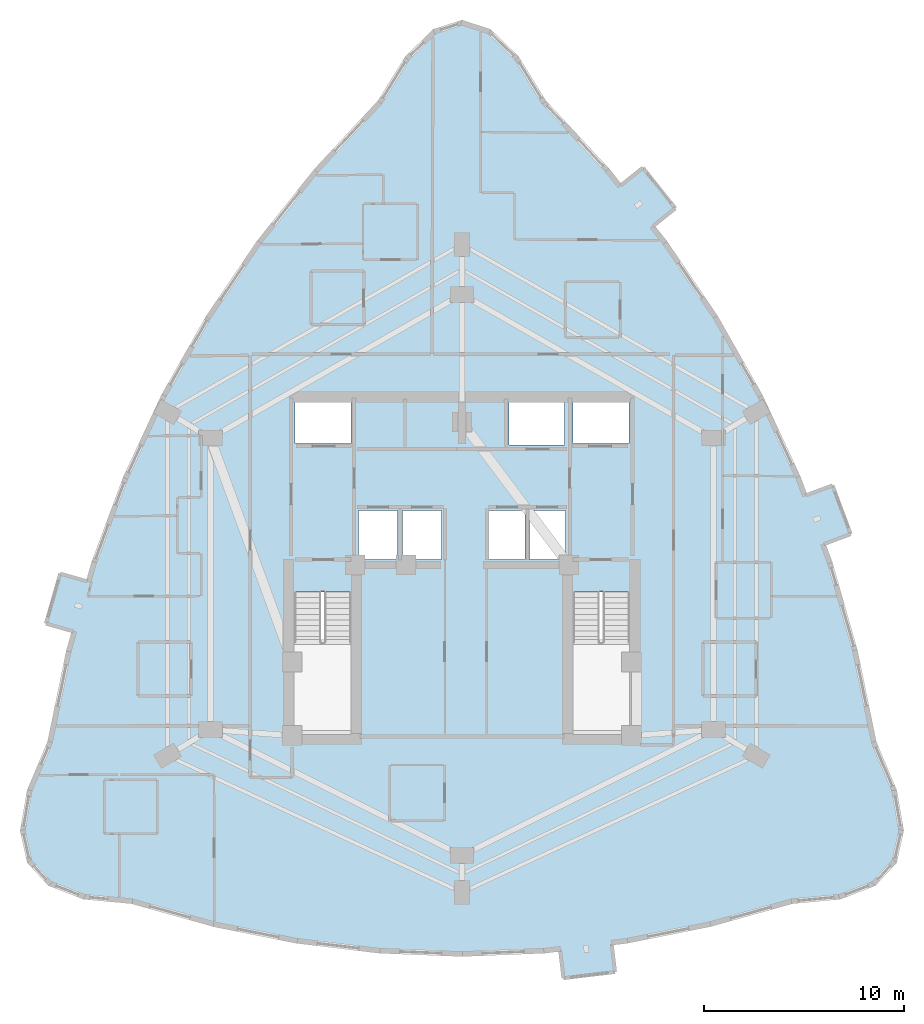
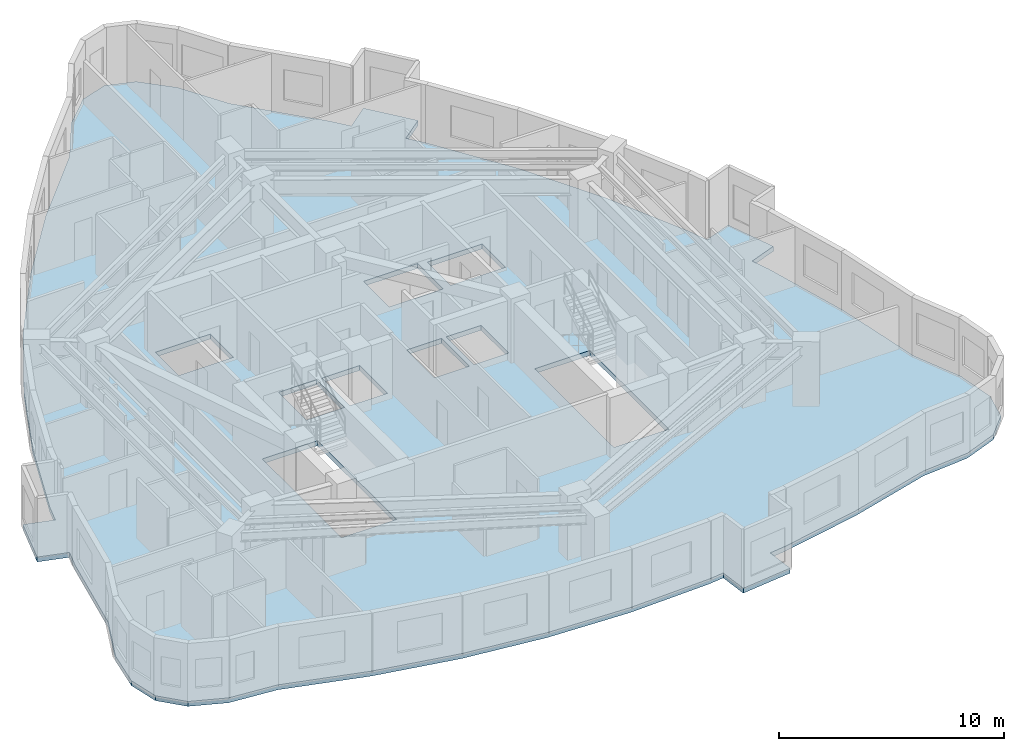
# One storey, part 5 of 14: 1 slab.
"""IFC4 building model written with IfcOpenShell, lengths in metres."""

from ifc_helpers import new_model, si_unit, direction, frame, origin, place, context, subcontext, project, spatial, polyline, outline, extrude, material, layer, layer_set, type_object, element, save


model = new_model("IFC4")

# Units and contexts
model_context = context("Model", 3, precision=1e-05, world=origin(), true_north=direction((0.0, 1.0)))
body_context = subcontext(model_context, "Body", "Model", "MODEL_VIEW")
ifc_project = project(units=[si_unit("LENGTHUNIT", "METRE"), si_unit("AREAUNIT", "SQUARE_METRE"), si_unit("VOLUMEUNIT", "CUBIC_METRE"), si_unit("PLANEANGLEUNIT", "RADIAN"), si_unit("MASSUNIT", "GRAM", prefix="KILO")], contexts=[model_context])

# Site, building, storey
site_placement = place(None, origin())
site = spatial("IfcSite", under=ifc_project, at=site_placement, CompositionType="ELEMENT")
building_placement = place(site_placement, origin())
building = spatial("IfcBuilding", under=site, at=building_placement, Name="Miruveldt Soraemaru", CompositionType="ELEMENT")
storey_placement = place(building_placement, frame((0.0, 0.0, 114.39990234375)))
storey = spatial("IfcBuildingStorey", under=building, at=storey_placement, Name="L31", CompositionType="ELEMENT", Elevation=114.39990234375)

# Slab
ifc_material = material(Name="Concrete C40/50 (40 MPa)", Category="concrete")
ifc_layer = layer(ifc_material, 0.264892578125, Name="Concrete C40/50 (40 MPa)", Category="concrete")
ifc_layer_set = layer_set([ifc_layer], Name="Concrete C40/50 (40 MPa)")
slab_type = type_object("IfcSlabType", Name="SLAB-RES2-265", PredefinedType="FLOOR", material=ifc_layer_set)
slab_placement = place(storey_placement, frame((0.0, 0.0, -0.264892578125)))
element("IfcSlab", 1, at=slab_placement, inside=storey, type_object=slab_type, Name="L31 Structural Floor Slab", PredefinedType="FLOOR", context=body_context, shape_type="SweptSolid", body=[
    extrude(outline(polyline([(25.583251953125, 44.16650390625), (27.168701171875, 48.423095703125), (29.07470703125, 52.5146484375), (31.3017578125, 56.44091796875), (33.849365234375, 60.20166015625), (36.717529296875, 63.797119140625), (39.906494140625, 67.227294921875), (41.27099609375, 69.43310546875), (42.635498046875, 70.756591796875), (44.0, 71.19775390625), (45.364501953125, 70.756591796875), (46.72900390625, 69.43310546875), (48.093505859375, 67.227294921875), (51.282470703125, 63.797119140625), (51.906005859375, 63.015625), (53.06298828125, 63.938720703125), (54.684326171875, 61.906005859375), (53.52734375, 60.983154296875), (52.716552734375, 61.99951171875), (54.150634765625, 60.20166015625), (56.6982421875, 56.44091796875), (58.92529296875, 52.5146484375), (60.831298828125, 48.423095703125), (61.17041015625, 47.512939453125), (62.55712890625, 48.029541015625), (63.464599609375, 45.59326171875), (62.077880859375, 45.07666015625), (62.416748046875, 44.16650390625), (63.681396484375, 39.744140625), (64.62548828125, 35.15673828125), (65.64892578125, 32.73046875), (65.989990234375, 30.7451171875), (65.64892578125, 29.201171875), (64.62548828125, 28.09814453125), (62.919921875, 27.436279296875), (60.531982421875, 27.2158203125), (56.399169921875, 26.05859375), (52.26611328125, 25.23193359375), (51.490234375, 25.138916015625), (51.66650390625, 23.66943359375), (49.085205078125, 23.359619140625), (48.90869140625, 24.8291015625), (50.199462890625, 24.98388671875), (48.133056640625, 24.736083984375), (44.0, 24.57080078125), (39.866943359375, 24.736083984375), (35.73388671875, 25.23193359375), (31.600830078125, 26.05859375), (27.468017578125, 27.2158203125), (25.080078125, 27.436279296875), (23.37451171875, 28.09814453125), (22.35107421875, 29.201171875), (22.010009765625, 30.7451171875), (22.35107421875, 32.73046875), (23.37451171875, 35.15673828125), (24.318603515625, 39.744140625), (24.593505859375, 40.705322265625), (23.17041015625, 41.1123046875), (23.88525390625, 43.612060546875), (25.308349609375, 43.205078125), (25.583251953125, 44.16650390625)]), holes=[polyline([(35.614990234375, 35.6650390625), (38.43505859375, 35.6650390625), (38.43505859375, 42.68505859375), (35.614990234375, 42.68505859375), (35.614990234375, 35.6650390625)]), polyline([(49.56494140625, 35.6650390625), (52.385009765625, 35.6650390625), (52.385009765625, 42.68505859375), (49.56494140625, 42.68505859375), (49.56494140625, 35.6650390625)]), polyline([(40.764892578125, 44.31494140625), (40.764892578125, 46.784912109375), (38.81494140625, 46.784912109375), (38.81494140625, 44.31494140625), (40.764892578125, 44.31494140625)]), polyline([(42.965087890625, 44.31494140625), (42.965087890625, 46.784912109375), (41.034912109375, 46.784912109375), (41.034912109375, 44.31494140625), (42.965087890625, 44.31494140625)]), polyline([(47.1650390625, 44.31494140625), (47.1650390625, 46.784912109375), (45.364990234375, 46.784912109375), (45.364990234375, 44.31494140625), (47.1650390625, 44.31494140625)]), polyline([(49.18505859375, 44.31494140625), (49.18505859375, 46.784912109375), (47.39501953125, 46.784912109375), (47.39501953125, 44.31494140625), (49.18505859375, 44.31494140625)]), polyline([(38.445068359375, 50.135009765625), (38.445068359375, 52.205078125), (35.635009765625, 52.205078125), (35.635009765625, 50.135009765625), (38.445068359375, 50.135009765625)]), polyline([(49.554931640625, 50.135009765625), (52.364990234375, 50.135009765625), (52.364990234375, 52.205078125), (49.554931640625, 52.205078125), (49.554931640625, 50.135009765625)]), polyline([(46.364990234375, 50.06494140625), (49.135009765625, 50.06494140625), (49.135009765625, 52.3349609375), (46.364990234375, 52.3349609375), (46.364990234375, 50.06494140625)])]), origin(), (0.0, 0.0, 1.0), 0.264892578125),
])

save(model, "model.ifc")
